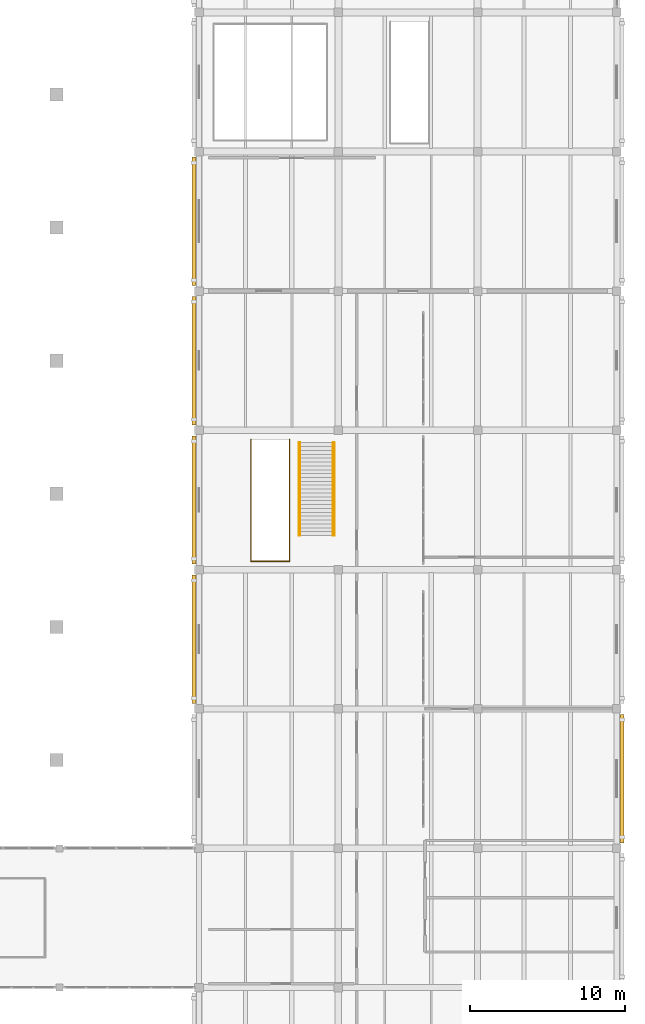
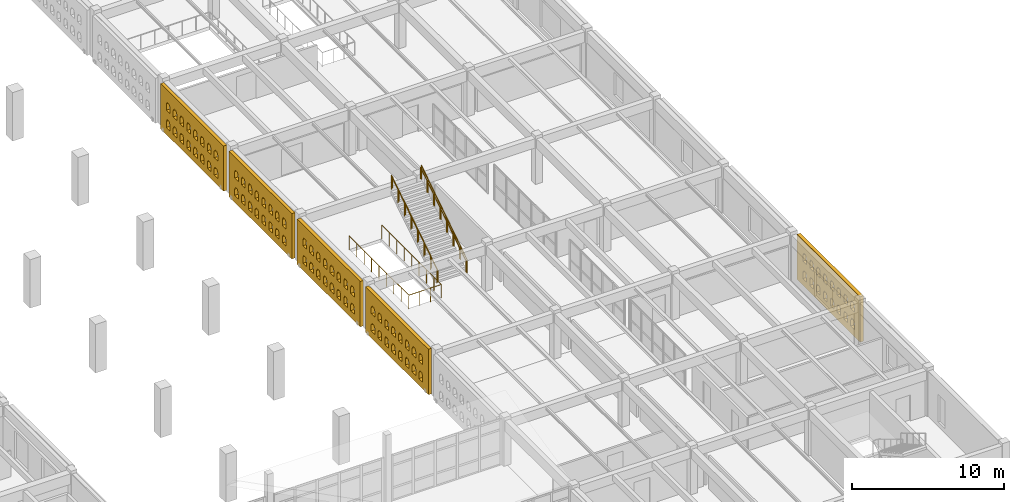
# One storey, part 153 of 156: 5 coverings, 5 railings.
"""IFC4 building model written with IfcOpenShell, lengths in metres."""

from ifc_helpers import new_model, si_unit, direction, frame, origin, origin_2d, place, context, subcontext, project, spatial, polyline, circle, outline, extrude, material, layer, layer_set, type_object, element, save


model = new_model("IFC4")

# Units and contexts
model_context = context("Model", 3, precision=1e-05, world=origin(), true_north=direction((0.0, 1.0)))
body_context = subcontext(model_context, "Body", "Model", "MODEL_VIEW")
ifc_project = project(units=[si_unit("LENGTHUNIT", "METRE"), si_unit("AREAUNIT", "SQUARE_METRE"), si_unit("VOLUMEUNIT", "CUBIC_METRE"), si_unit("PLANEANGLEUNIT", "RADIAN"), si_unit("MASSUNIT", "GRAM", prefix="KILO")], contexts=[model_context])

# Site, building, storey
site_placement = place(None, origin())
site = spatial("IfcSite", under=ifc_project, at=site_placement, CompositionType="ELEMENT")
building_placement = place(site_placement, origin())
building = spatial("IfcBuilding", under=site, at=building_placement, Name="Ornek Quay Market", CompositionType="ELEMENT")
storey_placement = place(building_placement, frame((0.0, 0.0, 4.5)))
storey = spatial("IfcBuildingStorey", under=building, at=storey_placement, Name="L01", CompositionType="ELEMENT", Elevation=4.5)

# Coverings
ifc_material_1 = material(Name="Frost-resistant facing clay brick M200 F100", Category="masonry")
ifc_layer = layer(ifc_material_1, 0.25, Name="Frost-resistant facing clay brick M200 F100", Category="masonry")
ifc_layer_set = layer_set([ifc_layer], Name="Frost-resistant facing clay brick M200 F100")
covering_type = type_object("IfcCoveringType", Name="COV-BRICK-LATTICE-250", PredefinedType="CLADDING", material=ifc_layer_set)
covering_1_placement = place(storey_placement, frame((152.669921875, 65.35009765625, 0.0), z_axis=(0.0, 0.0, 1.0), x_axis=(0.0, 1.0, 0.0)))
element("IfcCovering", 1, at=covering_1_placement, inside=storey, type_object=covering_type, Name="Arched brick lattice screen BLS-074", PredefinedType="CLADDING", context=body_context, shape_type="SweptSolid", body=[
    extrude(outline(polyline([(0.0, 0.0), (8.2998046875, 0.0), (8.2998046875, 3.6298828125), (0.0, 3.6298828125), (0.0, 0.0)]), holes=[polyline([(0.760009765625, 0.550048828125), (1.239990234375, 0.550048828125), (1.239990234375, 1.050048828125), (1.1201171875, 1.2578125), (0.8798828125, 1.2578125), (0.760009765625, 1.050048828125), (0.760009765625, 0.550048828125)]), polyline([(0.760009765625, 1.949951171875), (1.239990234375, 1.949951171875), (1.239990234375, 2.449951171875), (1.1201171875, 2.65771484375), (0.8798828125, 2.65771484375), (0.760009765625, 2.449951171875), (0.760009765625, 1.949951171875)]), polyline([(1.659912109375, 0.550048828125), (2.139892578125, 0.550048828125), (2.139892578125, 1.050048828125), (2.02001953125, 1.2578125), (1.780029296875, 1.2578125), (1.659912109375, 1.050048828125), (1.659912109375, 0.550048828125)]), polyline([(1.659912109375, 1.949951171875), (2.139892578125, 1.949951171875), (2.139892578125, 2.449951171875), (2.02001953125, 2.65771484375), (1.780029296875, 2.65771484375), (1.659912109375, 2.449951171875), (1.659912109375, 1.949951171875)]), polyline([(2.56005859375, 0.550048828125), (3.0400390625, 0.550048828125), (3.0400390625, 1.050048828125), (2.919921875, 1.2578125), (2.679931640625, 1.2578125), (2.56005859375, 1.050048828125), (2.56005859375, 0.550048828125)]), polyline([(2.56005859375, 1.949951171875), (3.0400390625, 1.949951171875), (3.0400390625, 2.449951171875), (2.919921875, 2.65771484375), (2.679931640625, 2.65771484375), (2.56005859375, 2.449951171875), (2.56005859375, 1.949951171875)]), polyline([(3.4599609375, 0.550048828125), (3.93994140625, 0.550048828125), (3.93994140625, 1.050048828125), (3.820068359375, 1.2578125), (3.580078125, 1.2578125), (3.4599609375, 1.050048828125), (3.4599609375, 0.550048828125)]), polyline([(3.4599609375, 1.949951171875), (3.93994140625, 1.949951171875), (3.93994140625, 2.449951171875), (3.820068359375, 2.65771484375), (3.580078125, 2.65771484375), (3.4599609375, 2.449951171875), (3.4599609375, 1.949951171875)]), polyline([(4.360107421875, 0.550048828125), (4.840087890625, 0.550048828125), (4.840087890625, 1.050048828125), (4.719970703125, 1.2578125), (4.47998046875, 1.2578125), (4.360107421875, 1.050048828125), (4.360107421875, 0.550048828125)]), polyline([(4.360107421875, 1.949951171875), (4.840087890625, 1.949951171875), (4.840087890625, 2.449951171875), (4.719970703125, 2.65771484375), (4.47998046875, 2.65771484375), (4.360107421875, 2.449951171875), (4.360107421875, 1.949951171875)]), polyline([(5.260009765625, 0.550048828125), (5.739990234375, 0.550048828125), (5.739990234375, 1.050048828125), (5.6201171875, 1.2578125), (5.3798828125, 1.2578125), (5.260009765625, 1.050048828125), (5.260009765625, 0.550048828125)]), polyline([(5.260009765625, 1.949951171875), (5.739990234375, 1.949951171875), (5.739990234375, 2.449951171875), (5.6201171875, 2.65771484375), (5.3798828125, 2.65771484375), (5.260009765625, 2.449951171875), (5.260009765625, 1.949951171875)]), polyline([(6.159912109375, 0.550048828125), (6.639892578125, 0.550048828125), (6.639892578125, 1.050048828125), (6.52001953125, 1.2578125), (6.280029296875, 1.2578125), (6.159912109375, 1.050048828125), (6.159912109375, 0.550048828125)]), polyline([(6.159912109375, 1.949951171875), (6.639892578125, 1.949951171875), (6.639892578125, 2.449951171875), (6.52001953125, 2.65771484375), (6.280029296875, 2.65771484375), (6.159912109375, 2.449951171875), (6.159912109375, 1.949951171875)]), polyline([(7.06005859375, 0.550048828125), (7.5400390625, 0.550048828125), (7.5400390625, 1.050048828125), (7.419921875, 1.2578125), (7.179931640625, 1.2578125), (7.06005859375, 1.050048828125), (7.06005859375, 0.550048828125)]), polyline([(7.06005859375, 1.949951171875), (7.5400390625, 1.949951171875), (7.5400390625, 2.449951171875), (7.419921875, 2.65771484375), (7.179931640625, 2.65771484375), (7.06005859375, 2.449951171875), (7.06005859375, 1.949951171875)])]), frame((0.0, 0.125, 0.0), z_axis=(0.0, -1.0, 0.0), x_axis=(1.0, 0.0, 0.0)), (0.0, 0.0, 1.0), 0.25),
])
covering_2_placement = place(storey_placement, frame((152.669921875, 38.35009765625, 0.0), z_axis=(0.0, 0.0, 1.0), x_axis=(0.0, 1.0, 0.0)))
element("IfcCovering", 2, at=covering_2_placement, inside=storey, type_object=covering_type, Name="Arched brick lattice screen BLS-098", PredefinedType="CLADDING", context=body_context, shape_type="SweptSolid", body=[
    extrude(outline(polyline([(0.0, 0.0), (8.2998046875, 0.0), (8.2998046875, 3.64990234375), (0.0, 3.64990234375), (0.0, 0.0)]), holes=[polyline([(0.760009765625, 0.550048828125), (1.239990234375, 0.550048828125), (1.239990234375, 1.050048828125), (1.1201171875, 1.2578125), (0.8798828125, 1.2578125), (0.760009765625, 1.050048828125), (0.760009765625, 0.550048828125)]), polyline([(0.760009765625, 1.949951171875), (1.239990234375, 1.949951171875), (1.239990234375, 2.449951171875), (1.1201171875, 2.65771484375), (0.8798828125, 2.65771484375), (0.760009765625, 2.449951171875), (0.760009765625, 1.949951171875)]), polyline([(1.659912109375, 0.550048828125), (2.139892578125, 0.550048828125), (2.139892578125, 1.050048828125), (2.02001953125, 1.2578125), (1.780029296875, 1.2578125), (1.659912109375, 1.050048828125), (1.659912109375, 0.550048828125)]), polyline([(1.659912109375, 1.949951171875), (2.139892578125, 1.949951171875), (2.139892578125, 2.449951171875), (2.02001953125, 2.65771484375), (1.780029296875, 2.65771484375), (1.659912109375, 2.449951171875), (1.659912109375, 1.949951171875)]), polyline([(2.56005859375, 0.550048828125), (3.0400390625, 0.550048828125), (3.0400390625, 1.050048828125), (2.919921875, 1.2578125), (2.679931640625, 1.2578125), (2.56005859375, 1.050048828125), (2.56005859375, 0.550048828125)]), polyline([(2.56005859375, 1.949951171875), (3.0400390625, 1.949951171875), (3.0400390625, 2.449951171875), (2.919921875, 2.65771484375), (2.679931640625, 2.65771484375), (2.56005859375, 2.449951171875), (2.56005859375, 1.949951171875)]), polyline([(3.4599609375, 0.550048828125), (3.93994140625, 0.550048828125), (3.93994140625, 1.050048828125), (3.820068359375, 1.2578125), (3.580078125, 1.2578125), (3.4599609375, 1.050048828125), (3.4599609375, 0.550048828125)]), polyline([(3.4599609375, 1.949951171875), (3.93994140625, 1.949951171875), (3.93994140625, 2.449951171875), (3.820068359375, 2.65771484375), (3.580078125, 2.65771484375), (3.4599609375, 2.449951171875), (3.4599609375, 1.949951171875)]), polyline([(4.360107421875, 0.550048828125), (4.840087890625, 0.550048828125), (4.840087890625, 1.050048828125), (4.719970703125, 1.2578125), (4.47998046875, 1.2578125), (4.360107421875, 1.050048828125), (4.360107421875, 0.550048828125)]), polyline([(4.360107421875, 1.949951171875), (4.840087890625, 1.949951171875), (4.840087890625, 2.449951171875), (4.719970703125, 2.65771484375), (4.47998046875, 2.65771484375), (4.360107421875, 2.449951171875), (4.360107421875, 1.949951171875)]), polyline([(5.260009765625, 0.550048828125), (5.739990234375, 0.550048828125), (5.739990234375, 1.050048828125), (5.6201171875, 1.2578125), (5.3798828125, 1.2578125), (5.260009765625, 1.050048828125), (5.260009765625, 0.550048828125)]), polyline([(5.260009765625, 1.949951171875), (5.739990234375, 1.949951171875), (5.739990234375, 2.449951171875), (5.6201171875, 2.65771484375), (5.3798828125, 2.65771484375), (5.260009765625, 2.449951171875), (5.260009765625, 1.949951171875)]), polyline([(6.159912109375, 0.550048828125), (6.639892578125, 0.550048828125), (6.639892578125, 1.050048828125), (6.52001953125, 1.2578125), (6.280029296875, 1.2578125), (6.159912109375, 1.050048828125), (6.159912109375, 0.550048828125)]), polyline([(6.159912109375, 1.949951171875), (6.639892578125, 1.949951171875), (6.639892578125, 2.449951171875), (6.52001953125, 2.65771484375), (6.280029296875, 2.65771484375), (6.159912109375, 2.449951171875), (6.159912109375, 1.949951171875)]), polyline([(7.06005859375, 0.550048828125), (7.5400390625, 0.550048828125), (7.5400390625, 1.050048828125), (7.419921875, 1.2578125), (7.179931640625, 1.2578125), (7.06005859375, 1.050048828125), (7.06005859375, 0.550048828125)]), polyline([(7.06005859375, 1.949951171875), (7.5400390625, 1.949951171875), (7.5400390625, 2.449951171875), (7.419921875, 2.65771484375), (7.179931640625, 2.65771484375), (7.06005859375, 2.449951171875), (7.06005859375, 1.949951171875)])]), frame((0.0, 0.125, 0.0), z_axis=(0.0, -1.0, 0.0), x_axis=(1.0, 0.0, 0.0)), (0.0, 0.0, 1.0), 0.25),
])
covering_3_placement = place(storey_placement, frame((152.669921875, 47.35009765625, 0.0), z_axis=(0.0, 0.0, 1.0), x_axis=(0.0, 1.0, 0.0)))
element("IfcCovering", 3, at=covering_3_placement, inside=storey, type_object=covering_type, Name="Arched brick lattice screen BLS-099", PredefinedType="CLADDING", context=body_context, shape_type="SweptSolid", body=[
    extrude(outline(polyline([(0.0, 0.0), (8.2998046875, 0.0), (8.2998046875, 3.64990234375), (0.0, 3.64990234375), (0.0, 0.0)]), holes=[polyline([(0.760009765625, 0.550048828125), (1.239990234375, 0.550048828125), (1.239990234375, 1.050048828125), (1.1201171875, 1.2578125), (0.8798828125, 1.2578125), (0.760009765625, 1.050048828125), (0.760009765625, 0.550048828125)]), polyline([(0.760009765625, 1.949951171875), (1.239990234375, 1.949951171875), (1.239990234375, 2.449951171875), (1.1201171875, 2.65771484375), (0.8798828125, 2.65771484375), (0.760009765625, 2.449951171875), (0.760009765625, 1.949951171875)]), polyline([(1.659912109375, 0.550048828125), (2.139892578125, 0.550048828125), (2.139892578125, 1.050048828125), (2.02001953125, 1.2578125), (1.780029296875, 1.2578125), (1.659912109375, 1.050048828125), (1.659912109375, 0.550048828125)]), polyline([(1.659912109375, 1.949951171875), (2.139892578125, 1.949951171875), (2.139892578125, 2.449951171875), (2.02001953125, 2.65771484375), (1.780029296875, 2.65771484375), (1.659912109375, 2.449951171875), (1.659912109375, 1.949951171875)]), polyline([(2.56005859375, 0.550048828125), (3.0400390625, 0.550048828125), (3.0400390625, 1.050048828125), (2.919921875, 1.2578125), (2.679931640625, 1.2578125), (2.56005859375, 1.050048828125), (2.56005859375, 0.550048828125)]), polyline([(2.56005859375, 1.949951171875), (3.0400390625, 1.949951171875), (3.0400390625, 2.449951171875), (2.919921875, 2.65771484375), (2.679931640625, 2.65771484375), (2.56005859375, 2.449951171875), (2.56005859375, 1.949951171875)]), polyline([(3.4599609375, 0.550048828125), (3.93994140625, 0.550048828125), (3.93994140625, 1.050048828125), (3.820068359375, 1.2578125), (3.580078125, 1.2578125), (3.4599609375, 1.050048828125), (3.4599609375, 0.550048828125)]), polyline([(3.4599609375, 1.949951171875), (3.93994140625, 1.949951171875), (3.93994140625, 2.449951171875), (3.820068359375, 2.65771484375), (3.580078125, 2.65771484375), (3.4599609375, 2.449951171875), (3.4599609375, 1.949951171875)]), polyline([(4.360107421875, 0.550048828125), (4.840087890625, 0.550048828125), (4.840087890625, 1.050048828125), (4.719970703125, 1.2578125), (4.47998046875, 1.2578125), (4.360107421875, 1.050048828125), (4.360107421875, 0.550048828125)]), polyline([(4.360107421875, 1.949951171875), (4.840087890625, 1.949951171875), (4.840087890625, 2.449951171875), (4.719970703125, 2.65771484375), (4.47998046875, 2.65771484375), (4.360107421875, 2.449951171875), (4.360107421875, 1.949951171875)]), polyline([(5.260009765625, 0.550048828125), (5.739990234375, 0.550048828125), (5.739990234375, 1.050048828125), (5.6201171875, 1.2578125), (5.3798828125, 1.2578125), (5.260009765625, 1.050048828125), (5.260009765625, 0.550048828125)]), polyline([(5.260009765625, 1.949951171875), (5.739990234375, 1.949951171875), (5.739990234375, 2.449951171875), (5.6201171875, 2.65771484375), (5.3798828125, 2.65771484375), (5.260009765625, 2.449951171875), (5.260009765625, 1.949951171875)]), polyline([(6.159912109375, 0.550048828125), (6.639892578125, 0.550048828125), (6.639892578125, 1.050048828125), (6.52001953125, 1.2578125), (6.280029296875, 1.2578125), (6.159912109375, 1.050048828125), (6.159912109375, 0.550048828125)]), polyline([(6.159912109375, 1.949951171875), (6.639892578125, 1.949951171875), (6.639892578125, 2.449951171875), (6.52001953125, 2.65771484375), (6.280029296875, 2.65771484375), (6.159912109375, 2.449951171875), (6.159912109375, 1.949951171875)]), polyline([(7.06005859375, 0.550048828125), (7.5400390625, 0.550048828125), (7.5400390625, 1.050048828125), (7.419921875, 1.2578125), (7.179931640625, 1.2578125), (7.06005859375, 1.050048828125), (7.06005859375, 0.550048828125)]), polyline([(7.06005859375, 1.949951171875), (7.5400390625, 1.949951171875), (7.5400390625, 2.449951171875), (7.419921875, 2.65771484375), (7.179931640625, 2.65771484375), (7.06005859375, 2.449951171875), (7.06005859375, 1.949951171875)])]), frame((0.0, 0.125, 0.0), z_axis=(0.0, -1.0, 0.0), x_axis=(1.0, 0.0, 0.0)), (0.0, 0.0, 1.0), 0.25),
])
covering_4_placement = place(storey_placement, frame((152.669921875, 56.35009765625, 0.0), z_axis=(0.0, 0.0, 1.0), x_axis=(0.0, 1.0, 0.0)))
element("IfcCovering", 4, at=covering_4_placement, inside=storey, type_object=covering_type, Name="Arched brick lattice screen BLS-100", PredefinedType="CLADDING", context=body_context, shape_type="SweptSolid", body=[
    extrude(outline(polyline([(0.0, 0.0), (8.2998046875, 0.0), (8.2998046875, 3.64990234375), (0.0, 3.64990234375), (0.0, 0.0)]), holes=[polyline([(0.760009765625, 0.550048828125), (1.239990234375, 0.550048828125), (1.239990234375, 1.050048828125), (1.1201171875, 1.2578125), (0.8798828125, 1.2578125), (0.760009765625, 1.050048828125), (0.760009765625, 0.550048828125)]), polyline([(0.760009765625, 1.949951171875), (1.239990234375, 1.949951171875), (1.239990234375, 2.449951171875), (1.1201171875, 2.65771484375), (0.8798828125, 2.65771484375), (0.760009765625, 2.449951171875), (0.760009765625, 1.949951171875)]), polyline([(1.659912109375, 0.550048828125), (2.139892578125, 0.550048828125), (2.139892578125, 1.050048828125), (2.02001953125, 1.2578125), (1.780029296875, 1.2578125), (1.659912109375, 1.050048828125), (1.659912109375, 0.550048828125)]), polyline([(1.659912109375, 1.949951171875), (2.139892578125, 1.949951171875), (2.139892578125, 2.449951171875), (2.02001953125, 2.65771484375), (1.780029296875, 2.65771484375), (1.659912109375, 2.449951171875), (1.659912109375, 1.949951171875)]), polyline([(2.56005859375, 0.550048828125), (3.0400390625, 0.550048828125), (3.0400390625, 1.050048828125), (2.919921875, 1.2578125), (2.679931640625, 1.2578125), (2.56005859375, 1.050048828125), (2.56005859375, 0.550048828125)]), polyline([(2.56005859375, 1.949951171875), (3.0400390625, 1.949951171875), (3.0400390625, 2.449951171875), (2.919921875, 2.65771484375), (2.679931640625, 2.65771484375), (2.56005859375, 2.449951171875), (2.56005859375, 1.949951171875)]), polyline([(3.4599609375, 0.550048828125), (3.93994140625, 0.550048828125), (3.93994140625, 1.050048828125), (3.820068359375, 1.2578125), (3.580078125, 1.2578125), (3.4599609375, 1.050048828125), (3.4599609375, 0.550048828125)]), polyline([(3.4599609375, 1.949951171875), (3.93994140625, 1.949951171875), (3.93994140625, 2.449951171875), (3.820068359375, 2.65771484375), (3.580078125, 2.65771484375), (3.4599609375, 2.449951171875), (3.4599609375, 1.949951171875)]), polyline([(4.360107421875, 0.550048828125), (4.840087890625, 0.550048828125), (4.840087890625, 1.050048828125), (4.719970703125, 1.2578125), (4.47998046875, 1.2578125), (4.360107421875, 1.050048828125), (4.360107421875, 0.550048828125)]), polyline([(4.360107421875, 1.949951171875), (4.840087890625, 1.949951171875), (4.840087890625, 2.449951171875), (4.719970703125, 2.65771484375), (4.47998046875, 2.65771484375), (4.360107421875, 2.449951171875), (4.360107421875, 1.949951171875)]), polyline([(5.260009765625, 0.550048828125), (5.739990234375, 0.550048828125), (5.739990234375, 1.050048828125), (5.6201171875, 1.2578125), (5.3798828125, 1.2578125), (5.260009765625, 1.050048828125), (5.260009765625, 0.550048828125)]), polyline([(5.260009765625, 1.949951171875), (5.739990234375, 1.949951171875), (5.739990234375, 2.449951171875), (5.6201171875, 2.65771484375), (5.3798828125, 2.65771484375), (5.260009765625, 2.449951171875), (5.260009765625, 1.949951171875)]), polyline([(6.159912109375, 0.550048828125), (6.639892578125, 0.550048828125), (6.639892578125, 1.050048828125), (6.52001953125, 1.2578125), (6.280029296875, 1.2578125), (6.159912109375, 1.050048828125), (6.159912109375, 0.550048828125)]), polyline([(6.159912109375, 1.949951171875), (6.639892578125, 1.949951171875), (6.639892578125, 2.449951171875), (6.52001953125, 2.65771484375), (6.280029296875, 2.65771484375), (6.159912109375, 2.449951171875), (6.159912109375, 1.949951171875)]), polyline([(7.06005859375, 0.550048828125), (7.5400390625, 0.550048828125), (7.5400390625, 1.050048828125), (7.419921875, 1.2578125), (7.179931640625, 1.2578125), (7.06005859375, 1.050048828125), (7.06005859375, 0.550048828125)]), polyline([(7.06005859375, 1.949951171875), (7.5400390625, 1.949951171875), (7.5400390625, 2.449951171875), (7.419921875, 2.65771484375), (7.179931640625, 2.65771484375), (7.06005859375, 2.449951171875), (7.06005859375, 1.949951171875)])]), frame((0.0, 0.125, 0.0), z_axis=(0.0, -1.0, 0.0), x_axis=(1.0, 0.0, 0.0)), (0.0, 0.0, 1.0), 0.25),
])
covering_5_placement = place(storey_placement, frame((180.330078125, 29.35009765625, 0.0), z_axis=(0.0, 0.0, 1.0), x_axis=(0.0, 1.0, 0.0)))
element("IfcCovering", 5, at=covering_5_placement, inside=storey, type_object=covering_type, Name="Arched brick lattice screen BLS-102", PredefinedType="CLADDING", context=body_context, shape_type="SweptSolid", body=[
    extrude(outline(polyline([(0.0, 0.0), (8.2998046875, 0.0), (8.2998046875, 3.64990234375), (0.0, 3.64990234375), (0.0, 0.0)]), holes=[polyline([(0.760009765625, 0.550048828125), (1.239990234375, 0.550048828125), (1.239990234375, 1.050048828125), (1.1201171875, 1.2578125), (0.8798828125, 1.2578125), (0.760009765625, 1.050048828125), (0.760009765625, 0.550048828125)]), polyline([(0.760009765625, 1.949951171875), (1.239990234375, 1.949951171875), (1.239990234375, 2.449951171875), (1.1201171875, 2.65771484375), (0.8798828125, 2.65771484375), (0.760009765625, 2.449951171875), (0.760009765625, 1.949951171875)]), polyline([(1.659912109375, 0.550048828125), (2.139892578125, 0.550048828125), (2.139892578125, 1.050048828125), (2.02001953125, 1.2578125), (1.780029296875, 1.2578125), (1.659912109375, 1.050048828125), (1.659912109375, 0.550048828125)]), polyline([(1.659912109375, 1.949951171875), (2.139892578125, 1.949951171875), (2.139892578125, 2.449951171875), (2.02001953125, 2.65771484375), (1.780029296875, 2.65771484375), (1.659912109375, 2.449951171875), (1.659912109375, 1.949951171875)]), polyline([(2.56005859375, 0.550048828125), (3.0400390625, 0.550048828125), (3.0400390625, 1.050048828125), (2.919921875, 1.2578125), (2.679931640625, 1.2578125), (2.56005859375, 1.050048828125), (2.56005859375, 0.550048828125)]), polyline([(2.56005859375, 1.949951171875), (3.0400390625, 1.949951171875), (3.0400390625, 2.449951171875), (2.919921875, 2.65771484375), (2.679931640625, 2.65771484375), (2.56005859375, 2.449951171875), (2.56005859375, 1.949951171875)]), polyline([(3.4599609375, 0.550048828125), (3.93994140625, 0.550048828125), (3.93994140625, 1.050048828125), (3.820068359375, 1.2578125), (3.580078125, 1.2578125), (3.4599609375, 1.050048828125), (3.4599609375, 0.550048828125)]), polyline([(3.4599609375, 1.949951171875), (3.93994140625, 1.949951171875), (3.93994140625, 2.449951171875), (3.820068359375, 2.65771484375), (3.580078125, 2.65771484375), (3.4599609375, 2.449951171875), (3.4599609375, 1.949951171875)]), polyline([(4.360107421875, 0.550048828125), (4.840087890625, 0.550048828125), (4.840087890625, 1.050048828125), (4.719970703125, 1.2578125), (4.47998046875, 1.2578125), (4.360107421875, 1.050048828125), (4.360107421875, 0.550048828125)]), polyline([(4.360107421875, 1.949951171875), (4.840087890625, 1.949951171875), (4.840087890625, 2.449951171875), (4.719970703125, 2.65771484375), (4.47998046875, 2.65771484375), (4.360107421875, 2.449951171875), (4.360107421875, 1.949951171875)]), polyline([(5.260009765625, 0.550048828125), (5.739990234375, 0.550048828125), (5.739990234375, 1.050048828125), (5.6201171875, 1.2578125), (5.3798828125, 1.2578125), (5.260009765625, 1.050048828125), (5.260009765625, 0.550048828125)]), polyline([(5.260009765625, 1.949951171875), (5.739990234375, 1.949951171875), (5.739990234375, 2.449951171875), (5.6201171875, 2.65771484375), (5.3798828125, 2.65771484375), (5.260009765625, 2.449951171875), (5.260009765625, 1.949951171875)]), polyline([(6.159912109375, 0.550048828125), (6.639892578125, 0.550048828125), (6.639892578125, 1.050048828125), (6.52001953125, 1.2578125), (6.280029296875, 1.2578125), (6.159912109375, 1.050048828125), (6.159912109375, 0.550048828125)]), polyline([(6.159912109375, 1.949951171875), (6.639892578125, 1.949951171875), (6.639892578125, 2.449951171875), (6.52001953125, 2.65771484375), (6.280029296875, 2.65771484375), (6.159912109375, 2.449951171875), (6.159912109375, 1.949951171875)]), polyline([(7.06005859375, 0.550048828125), (7.5400390625, 0.550048828125), (7.5400390625, 1.050048828125), (7.419921875, 1.2578125), (7.179931640625, 1.2578125), (7.06005859375, 1.050048828125), (7.06005859375, 0.550048828125)]), polyline([(7.06005859375, 1.949951171875), (7.5400390625, 1.949951171875), (7.5400390625, 2.449951171875), (7.419921875, 2.65771484375), (7.179931640625, 2.65771484375), (7.06005859375, 2.449951171875), (7.06005859375, 1.949951171875)])]), frame((0.0, 0.125, 0.0), z_axis=(0.0, -1.0, 0.0), x_axis=(1.0, 0.0, 0.0)), (0.0, 0.0, 1.0), 0.25),
])

# Railings
ifc_material_2 = material(Name="Painted steel S355 and vertical infill bars", Category="steel")
railing_type_1 = type_object("IfcRailingType", Name="RL-GUARD-GAL-1100", PredefinedType="GUARDRAIL", material=ifc_material_2)
railing_placement = place(storey_placement, frame((156.360107421875, 55.39990234375, 0.0)))
element("IfcRailing", 6, at=railing_placement, inside=storey, type_object=railing_type_1, Name="Railing GR-01-109", PredefinedType="GUARDRAIL", context=body_context, shape_type="SweptSolid", body=[
    extrude(circle(Radius=0.02392578125, at=origin_2d()), frame((0.0, 0.0, 1.09619140625), z_axis=(0.0, -1.0, 0.0), x_axis=(1.0, 0.0, 0.0)), (0.0, 0.0, 1.0), 7.829833984375),
    extrude(circle(Radius=0.02392578125, at=origin_2d()), frame((0.030029296875, -7.85986328125, 1.09619140625), z_axis=(1.0, 0.0, 0.0), x_axis=(0.0, 1.0, 0.0)), (0.0, 0.0, 1.0), 2.419921875),
    extrude(circle(Radius=0.02392578125, at=origin_2d()), frame((2.47998046875, -7.829833984375, 1.09619140625), z_axis=(0.0, 1.0, 0.0), x_axis=(-1.0, 0.0, 0.0)), (0.0, 0.0, 1.0), 7.829833984375),
    extrude(circle(Radius=0.02099609375, at=origin_2d()), origin(), (0.0, 0.0, 1.0), 1.068115234375),
    extrude(circle(Radius=0.02099609375, at=origin_2d()), frame((0.0, -0.982421875, 0.0)), (0.0, 0.0, 1.0), 1.068115234375),
    extrude(circle(Radius=0.02099609375, at=origin_2d()), frame((0.0, -1.96484375, 0.0)), (0.0, 0.0, 1.0), 1.068115234375),
    extrude(circle(Radius=0.02099609375, at=origin_2d()), frame((0.0, -2.947509765625, 0.0)), (0.0, 0.0, 1.0), 1.068115234375),
    extrude(circle(Radius=0.02099609375, at=origin_2d()), frame((0.0, -3.929931640625, 0.0)), (0.0, 0.0, 1.0), 1.068115234375),
    extrude(circle(Radius=0.02099609375, at=origin_2d()), frame((0.0, -4.912353515625, 0.0)), (0.0, 0.0, 1.0), 1.068115234375),
    extrude(circle(Radius=0.02099609375, at=origin_2d()), frame((0.0, -5.89501953125, 0.0)), (0.0, 0.0, 1.0), 1.068115234375),
    extrude(circle(Radius=0.02099609375, at=origin_2d()), frame((0.0, -6.87744140625, 0.0)), (0.0, 0.0, 1.0), 1.068115234375),
    extrude(circle(Radius=0.02099609375, at=origin_2d()), frame((0.0, -7.85986328125, 0.0)), (0.0, 0.0, 1.0), 1.068115234375),
    extrude(circle(Radius=0.02099609375, at=origin_2d()), frame((0.82666015625, -7.85986328125, 0.0)), (0.0, 0.0, 1.0), 1.068115234375),
    extrude(circle(Radius=0.02099609375, at=origin_2d()), frame((1.6533203125, -7.85986328125, 0.0)), (0.0, 0.0, 1.0), 1.068115234375),
    extrude(circle(Radius=0.02099609375, at=origin_2d()), frame((2.47998046875, -7.85986328125, 0.0)), (0.0, 0.0, 1.0), 1.068115234375),
    extrude(circle(Radius=0.02099609375, at=origin_2d()), frame((2.47998046875, -6.87744140625, 0.0)), (0.0, 0.0, 1.0), 1.068115234375),
    extrude(circle(Radius=0.02099609375, at=origin_2d()), frame((2.47998046875, -5.89501953125, 0.0)), (0.0, 0.0, 1.0), 1.068115234375),
    extrude(circle(Radius=0.02099609375, at=origin_2d()), frame((2.47998046875, -4.912353515625, 0.0)), (0.0, 0.0, 1.0), 1.068115234375),
    extrude(circle(Radius=0.02099609375, at=origin_2d()), frame((2.47998046875, -3.929931640625, 0.0)), (0.0, 0.0, 1.0), 1.068115234375),
    extrude(circle(Radius=0.02099609375, at=origin_2d()), frame((2.47998046875, -2.947509765625, 0.0)), (0.0, 0.0, 1.0), 1.068115234375),
    extrude(circle(Radius=0.02099609375, at=origin_2d()), frame((2.47998046875, -1.96484375, 0.0)), (0.0, 0.0, 1.0), 1.068115234375),
    extrude(circle(Radius=0.02099609375, at=origin_2d()), frame((2.47998046875, -0.982421875, 0.0)), (0.0, 0.0, 1.0), 1.068115234375),
    extrude(circle(Radius=0.02099609375, at=origin_2d()), frame((2.47998046875, 0.0, 0.0)), (0.0, 0.0, 1.0), 1.068115234375),
])
ifc_material_3 = material(Name="Brushed stainless steel 316", Category="steel")
railing_type_2 = type_object("IfcRailingType", Name="RL-GUARD-STAIR-1100", PredefinedType="GUARDRAIL", material=ifc_material_3)
for number, where, name in (
    (7, (159.4599609375, 49.2041015625, 0.0), "Railing GR-03-110"),
    (8, (161.739990234375, 49.2041015625, 0.0), "Railing GR-03-111"),
):
    element("IfcRailing", number, at=place(storey_placement, frame(where)), inside=storey, type_object=railing_type_2, Name=name, PredefinedType="GUARDRAIL", context=body_context, shape_type="SweptSolid", body=[
        extrude(circle(Radius=0.02392578125, at=origin_2d()), frame((0.0, 0.0, 1.09619140625), z_axis=(0.0, 0.838277470406, 0.545243874436), x_axis=(-1.0, 0.0, 0.0)), (0.0, 0.0, 1.0), 7.152587890625),
        extrude(circle(Radius=0.02099609375, at=origin_2d()), origin(), (0.0, 0.0, 1.0), 1.068115234375),
        extrude(circle(Radius=0.02099609375, at=origin_2d()), frame((0.0, 0.8564453125, 0.55712890625)), (0.0, 0.0, 1.0), 1.068115234375),
        extrude(circle(Radius=0.02099609375, at=origin_2d()), frame((0.0, 1.713134765625, 1.1142578125)), (0.0, 0.0, 1.0), 1.068115234375),
        extrude(circle(Radius=0.02099609375, at=origin_2d()), frame((0.0, 2.569580078125, 1.67138671875)), (0.0, 0.0, 1.0), 1.068115234375),
        extrude(circle(Radius=0.02099609375, at=origin_2d()), frame((0.0, 3.42626953125, 2.228515625)), (0.0, 0.0, 1.0), 1.068115234375),
        extrude(circle(Radius=0.02099609375, at=origin_2d()), frame((0.0, 4.28271484375, 2.78564453125)), (0.0, 0.0, 1.0), 1.068115234375),
        extrude(circle(Radius=0.02099609375, at=origin_2d()), frame((0.0, 5.139404296875, 3.3427734375)), (0.0, 0.0, 1.0), 1.068115234375),
        extrude(circle(Radius=0.02099609375, at=origin_2d()), frame((0.0, 5.995849609375, 3.89990234375)), (0.0, 0.0, 1.0), 1.068115234375),
    ])
railing_type_3 = type_object("IfcRailingType", Name="RL-HANDRAIL-920", PredefinedType="HANDRAIL", material=ifc_material_3)
for number, where, name in (
    (9, (159.52001953125, 49.2041015625, 0.080078125), "Railing HR-01-112"),
    (10, (161.679931640625, 49.2041015625, 0.080078125), "Railing HR-01-113"),
):
    element("IfcRailing", number, at=place(storey_placement, frame(where)), inside=storey, type_object=railing_type_3, Name=name, PredefinedType="HANDRAIL", context=body_context, shape_type="SweptSolid", body=[
        extrude(circle(Radius=0.02392578125, at=origin_2d()), frame((0.0, 0.0, 0.89599609375), z_axis=(0.0, 0.838277470406, 0.545243874436), x_axis=(-1.0, 0.0, 0.0)), (0.0, 0.0, 1.0), 7.152587890625),
        extrude(circle(Radius=0.02099609375, at=origin_2d()), origin(), (0.0, 0.0, 1.0), 0.867919921875),
        extrude(circle(Radius=0.02099609375, at=origin_2d()), frame((0.0, 0.8564453125, 0.55712890625)), (0.0, 0.0, 1.0), 0.867919921875),
        extrude(circle(Radius=0.02099609375, at=origin_2d()), frame((0.0, 1.713134765625, 1.1142578125)), (0.0, 0.0, 1.0), 0.867919921875),
        extrude(circle(Radius=0.02099609375, at=origin_2d()), frame((0.0, 2.569580078125, 1.67138671875)), (0.0, 0.0, 1.0), 0.867919921875),
        extrude(circle(Radius=0.02099609375, at=origin_2d()), frame((0.0, 3.42626953125, 2.228515625)), (0.0, 0.0, 1.0), 0.867919921875),
        extrude(circle(Radius=0.02099609375, at=origin_2d()), frame((0.0, 4.28271484375, 2.78564453125)), (0.0, 0.0, 1.0), 0.867919921875),
        extrude(circle(Radius=0.02099609375, at=origin_2d()), frame((0.0, 5.139404296875, 3.3427734375)), (0.0, 0.0, 1.0), 0.867919921875),
        extrude(circle(Radius=0.02099609375, at=origin_2d()), frame((0.0, 5.995849609375, 3.89990234375)), (0.0, 0.0, 1.0), 0.867919921875),
    ])

save(model, "model.ifc")
